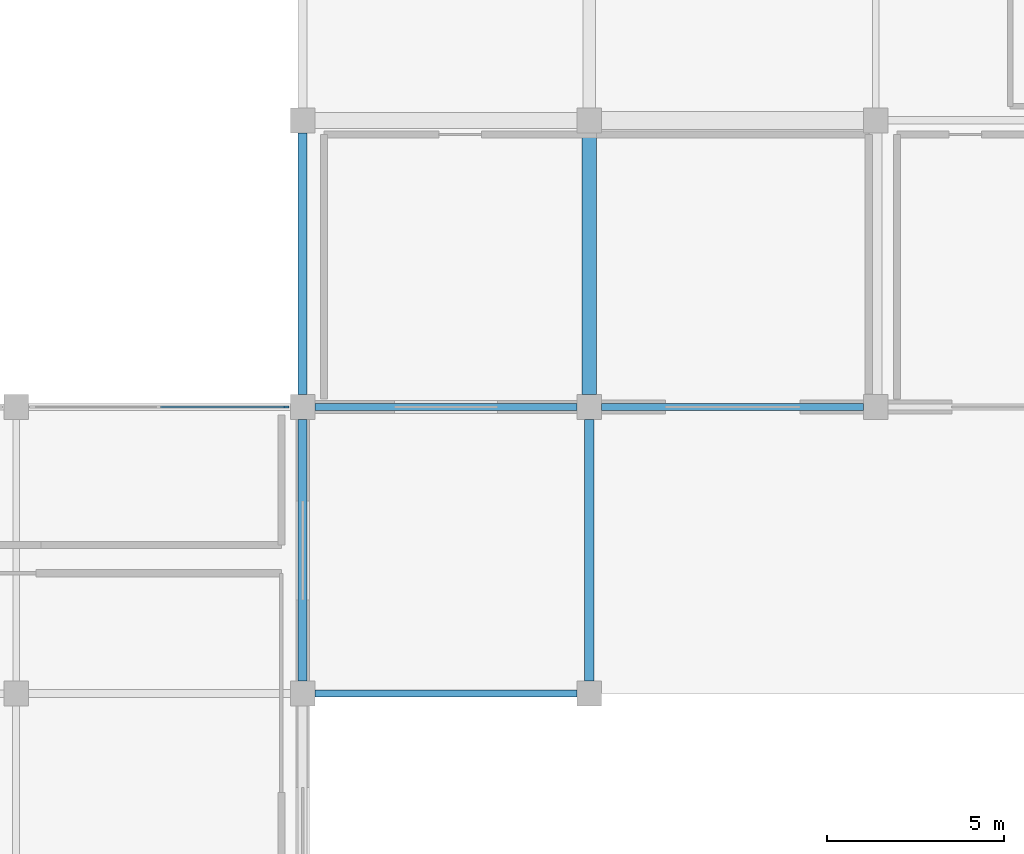
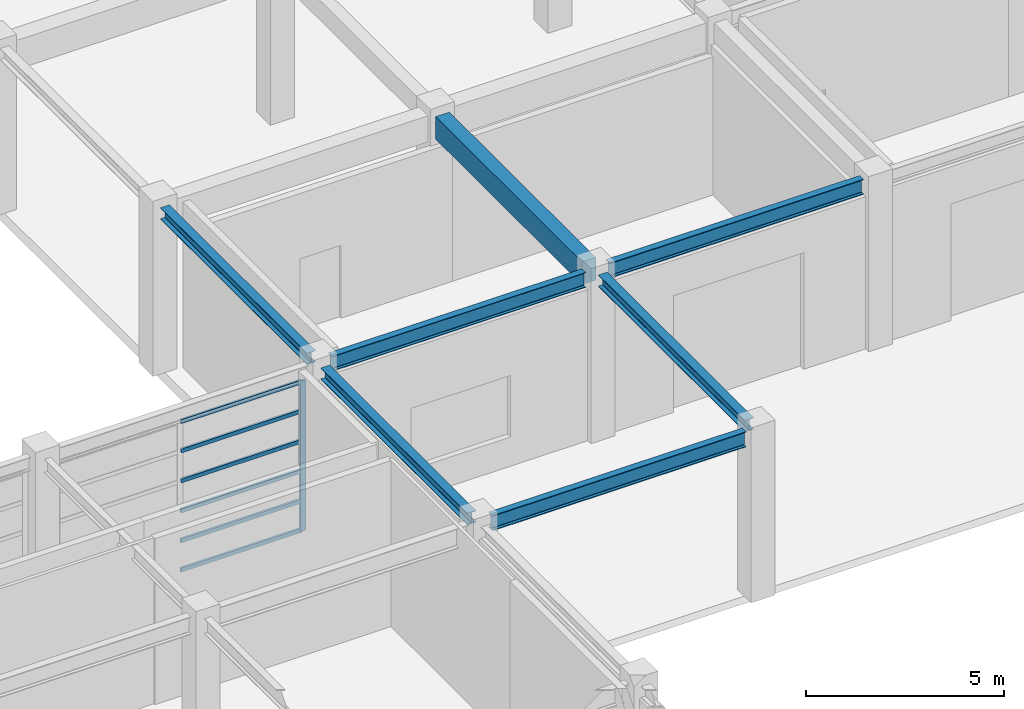
# One storey, part 13 of 52: 7 beams, 7 members, 1 element without a shape of its own.
"""IFC4 building model written with IfcOpenShell, lengths in metres."""

from ifc_helpers import new_model, si_unit, direction, frame, origin, origin_2d, place, context, subcontext, project, spatial, rectangle, i_section, extrude, material, material_profile, profile_set, type_object, element, aggregate, save


model = new_model("IFC4")

# Units and contexts
model_context = context("Model", 3, precision=1e-05, world=origin(), true_north=direction((0.0, 1.0)))
body_context = subcontext(model_context, "Body", "Model", "MODEL_VIEW")
ifc_project = project(units=[si_unit("LENGTHUNIT", "METRE"), si_unit("AREAUNIT", "SQUARE_METRE"), si_unit("VOLUMEUNIT", "CUBIC_METRE"), si_unit("PLANEANGLEUNIT", "RADIAN"), si_unit("MASSUNIT", "GRAM", prefix="KILO")], contexts=[model_context])

# Site, building, storey
site_placement = place(None, origin())
site = spatial("IfcSite", under=ifc_project, at=site_placement, CompositionType="ELEMENT")
building_placement = place(site_placement, origin())
building = spatial("IfcBuilding", under=site, at=building_placement, Name="Parian Resonance Hall", CompositionType="ELEMENT")
storey_placement = place(building_placement, origin())
storey = spatial("IfcBuildingStorey", under=building, at=storey_placement, Name="L00", CompositionType="ELEMENT", Elevation=0.0)

# Beams
ifc_material_1 = material(Name="Concrete C40/50", Category="concrete")
ifc_material_profile_1 = material_profile(ifc_material_1, rectangle(XDim=0.39990234375, YDim=0.699951171875, at=origin_2d()), Name="RC-BM-400x700")
ifc_profile_set_1 = profile_set([ifc_material_profile_1], Name="Concrete C40/50")
beam_type_1 = type_object("IfcBeamType", Name="BM-RC400x700", PredefinedType="BEAM", material=ifc_profile_set_1)
beam_1_placement = place(storey_placement, frame((121.5, 24.64990234375, 4.780029296875), z_axis=(0.0, 1.0, 0.0), x_axis=(-1.0, 0.0, 0.0)))
element("IfcBeam", 1, at=beam_1_placement, inside=storey, type_object=beam_type_1, Name="GY-L00-0465", PredefinedType="BEAM", context=body_context, shape_type="SweptSolid", body=[
    extrude(rectangle(XDim=0.39990234375, YDim=0.699951171875, at=origin_2d()), origin(), (0.0, 0.0, 1.0), 7.400146484375),
])
ifc_material_2 = material(Name="Steel S355", Category="steel")
ifc_material_profile_2 = material_profile(ifc_material_2, i_section(OverallWidth=0.2548828125, OverallDepth=0.35693359375, WebThickness=0.010498046875, FlangeThickness=0.018310546875, FilletRadius=0.01513671875, at=origin_2d()), Name="W360x101")
ifc_profile_set_2 = profile_set([ifc_material_profile_2], Name="Steel S355")
beam_type_2 = type_object("IfcBeamType", Name="BM-W360x101", PredefinedType="SPANDREL", material=ifc_profile_set_2)
beam_2_placement = place(storey_placement, frame((113.39990234375, 16.550048828125, 4.92138671875), z_axis=(0.0, 1.0, 0.0), x_axis=(-1.0, 0.0, 0.0)))
element("IfcBeam", 2, at=beam_2_placement, inside=storey, type_object=beam_type_2, Name="GY-L00-0455", PredefinedType="SPANDREL", context=body_context, shape_type="SweptSolid", body=[
    extrude(i_section(OverallWidth=0.2548828125, OverallDepth=0.35693359375, WebThickness=0.010498046875, FlangeThickness=0.018310546875, FilletRadius=0.01513671875, at=origin_2d()), origin(), (0.0, 0.0, 1.0), 7.39990234375),
])
beam_3_placement = place(storey_placement, frame((113.39990234375, 24.64990234375, 4.951416015625), z_axis=(0.0, 1.0, 0.0), x_axis=(-1.0, 0.0, 0.0)))
element("IfcBeam", 3, at=beam_3_placement, inside=storey, type_object=beam_type_2, Name="GY-L00-0456", PredefinedType="SPANDREL", context=body_context, shape_type="SweptSolid", body=[
    extrude(i_section(OverallWidth=0.2548828125, OverallDepth=0.35693359375, WebThickness=0.010498046875, FlangeThickness=0.018310546875, FilletRadius=0.01513671875, at=origin_2d()), origin(), (0.0, 0.0, 1.0), 7.400146484375),
])
beam_4_placement = place(storey_placement, frame((121.5, 16.550048828125, 4.951416015625), z_axis=(0.0, 1.0, 0.0), x_axis=(-1.0, 0.0, 0.0)))
element("IfcBeam", 4, at=beam_4_placement, inside=storey, type_object=beam_type_2, Name="GY-L00-0464", PredefinedType="SPANDREL", context=body_context, shape_type="SweptSolid", body=[
    extrude(i_section(OverallWidth=0.2548828125, OverallDepth=0.35693359375, WebThickness=0.010498046875, FlangeThickness=0.018310546875, FilletRadius=0.01513671875, at=origin_2d()), origin(), (0.0, 0.0, 1.0), 7.39990234375),
])
ifc_material_3 = material(Name="Steel S355", Category="steel")
ifc_material_profile_3 = material_profile(ifc_material_3, i_section(OverallWidth=0.194091796875, OverallDepth=0.468994140625, WebThickness=0.0126953125, FlangeThickness=0.0205078125, FilletRadius=0.01513671875, at=origin_2d()), Name="W460x106")
ifc_profile_set_3 = profile_set([ifc_material_profile_3], Name="Steel S355")
beam_type_3 = type_object("IfcBeamType", Name="BM-W460x106", PredefinedType="SPANDREL", material=ifc_profile_set_3)
for number, where, z_axis, x_axis, name in (
    (5, (113.75, 16.199951171875, 4.8955078125), (1.0, 0.0, 0.0), (0.0, 1.0, 0.0), "GX-L00-0344"),
    (6, (121.85009765625, 24.300048828125, 4.935546875), (1.0, 0.0, 0.0), (0.0, 1.0, 0.0), "GX-L00-0354"),
):
    element("IfcBeam", number, at=place(storey_placement, frame(where, z_axis=z_axis, x_axis=x_axis)), inside=storey, type_object=beam_type_3, Name=name, PredefinedType="SPANDREL", context=body_context, shape_type="SweptSolid", body=[
        extrude(i_section(OverallWidth=0.194091796875, OverallDepth=0.468994140625, WebThickness=0.0126953125, FlangeThickness=0.0205078125, FilletRadius=0.01513671875, at=origin_2d()), origin(), (0.0, 0.0, 1.0), 7.39990234375),
    ])
ifc_material_4 = material(Name="Steel S355", Category="steel")
ifc_material_profile_4 = material_profile(ifc_material_4, i_section(OverallWidth=0.19091796875, OverallDepth=0.4599609375, WebThickness=0.010009765625, FlangeThickness=0.01611328125, FilletRadius=0.01513671875, at=origin_2d()), Name="W460x82")
ifc_profile_set_4 = profile_set([ifc_material_profile_4], Name="Steel S355")
beam_type_4 = type_object("IfcBeamType", Name="BM-W460x82", PredefinedType="BEAM", material=ifc_profile_set_4)
beam_5_placement = place(storey_placement, frame((113.75, 24.300048828125, 4.89990234375), z_axis=(1.0, 0.0, 0.0), x_axis=(0.0, 1.0, 0.0)))
element("IfcBeam", 7, at=beam_5_placement, inside=storey, type_object=beam_type_4, Name="GX-L00-0345", PredefinedType="BEAM", context=body_context, shape_type="SweptSolid", body=[
    extrude(i_section(OverallWidth=0.19091796875, OverallDepth=0.4599609375, WebThickness=0.010009765625, FlangeThickness=0.01611328125, FilletRadius=0.01513671875, at=origin_2d()), origin(), (0.0, 0.0, 1.0), 7.39990234375),
])

# Curtain wall, members
ifc_material_5 = material(Name="Bronze-anodised aluminium frame", Category="aluminium")
curtain_wall_type = type_object("IfcCurtainWallType", Name="CW-SYS-03", PredefinedType="NOTDEFINED", material=ifc_material_5)
curtain_wall_placement = place(storey_placement, origin())
curtain_wall = element("IfcCurtainWall", 8, at=curtain_wall_placement, inside=storey, type_object=curtain_wall_type, Name="Curtain wall CW-L00-127", PredefinedType="NOTDEFINED")
ifc_material_6 = material(Name="Bronze-anodised aluminium frame", Category="aluminium")
ifc_material_profile_5 = material_profile(ifc_material_6, rectangle(XDim=0.06494140625, YDim=0.159912109375, at=origin_2d()), Name="CWM-65x160")
ifc_profile_set_5 = profile_set([ifc_material_profile_5], Name="Bronze-anodised aluminium frame")
member_type_1 = type_object("IfcMemberType", Name="CWM-65x160", PredefinedType="MULLION", material=ifc_profile_set_5)
member_1_placement = place(storey_placement, frame((112.9375, 24.300048828125, -0.008056640625), z_axis=(0.0, 0.0, 1.0), x_axis=(0.0, 1.0, 0.0)))
member_1 = element("IfcMember", 9, at=member_1_placement, type_object=member_type_1, Name="CW-03 mullion 3", PredefinedType="MULLION", context=body_context, shape_type="SweptSolid", body=[
    extrude(rectangle(XDim=0.06494140625, YDim=0.159912109375, at=origin_2d()), origin(), (0.0, 0.0, 1.0), 4.64306640625),
])
ifc_material_7 = material(Name="Bronze-anodised aluminium frame", Category="aluminium")
ifc_material_profile_6 = material_profile(ifc_material_7, rectangle(XDim=0.06494140625, YDim=0.1201171875, at=origin_2d()), Name="CWT-65x120")
ifc_profile_set_6 = profile_set([ifc_material_profile_6], Name="Bronze-anodised aluminium frame")
member_type_2 = type_object("IfcMemberType", Name="CWT-65x120", PredefinedType="USERDEFINED", material=ifc_profile_set_6)
member_2_placement = place(storey_placement, frame((109.382568359375, 24.300048828125, 0.0244140625), z_axis=(1.0, 0.0, 0.0), x_axis=(0.0, 1.0, 0.0)))
member_2 = element("IfcMember", 10, at=member_2_placement, type_object=member_type_2, Name="CW-03 transom 2.1", ObjectType="TRANSOM", PredefinedType="USERDEFINED", context=body_context, shape_type="SweptSolid", body=[
    extrude(rectangle(XDim=0.06494140625, YDim=0.1201171875, at=origin_2d()), origin(), (0.0, 0.0, 1.0), 3.5224609375),
])
member_3_placement = place(storey_placement, frame((109.382568359375, 24.300048828125, 0.925048828125), z_axis=(1.0, 0.0, 0.0), x_axis=(0.0, 1.0, 0.0)))
member_3 = element("IfcMember", 11, at=member_3_placement, type_object=member_type_2, Name="CW-03 transom 2.2", ObjectType="TRANSOM", PredefinedType="USERDEFINED", context=body_context, shape_type="SweptSolid", body=[
    extrude(rectangle(XDim=0.06494140625, YDim=0.1201171875, at=origin_2d()), origin(), (0.0, 0.0, 1.0), 3.5224609375),
])
member_4_placement = place(storey_placement, frame((109.382568359375, 24.300048828125, 1.85009765625), z_axis=(1.0, 0.0, 0.0), x_axis=(0.0, 1.0, 0.0)))
member_4 = element("IfcMember", 12, at=member_4_placement, type_object=member_type_2, Name="CW-03 transom 2.3", ObjectType="TRANSOM", PredefinedType="USERDEFINED", context=body_context, shape_type="SweptSolid", body=[
    extrude(rectangle(XDim=0.06494140625, YDim=0.1201171875, at=origin_2d()), origin(), (0.0, 0.0, 1.0), 3.5224609375),
])
member_5_placement = place(storey_placement, frame((109.382568359375, 24.300048828125, 2.77490234375), z_axis=(1.0, 0.0, 0.0), x_axis=(0.0, 1.0, 0.0)))
member_5 = element("IfcMember", 13, at=member_5_placement, type_object=member_type_2, Name="CW-03 transom 2.4", ObjectType="TRANSOM", PredefinedType="USERDEFINED", context=body_context, shape_type="SweptSolid", body=[
    extrude(rectangle(XDim=0.06494140625, YDim=0.1201171875, at=origin_2d()), origin(), (0.0, 0.0, 1.0), 3.5224609375),
])
member_6_placement = place(storey_placement, frame((109.382568359375, 24.300048828125, 3.699951171875), z_axis=(1.0, 0.0, 0.0), x_axis=(0.0, 1.0, 0.0)))
member_6 = element("IfcMember", 14, at=member_6_placement, type_object=member_type_2, Name="CW-03 transom 2.5", ObjectType="TRANSOM", PredefinedType="USERDEFINED", context=body_context, shape_type="SweptSolid", body=[
    extrude(rectangle(XDim=0.06494140625, YDim=0.1201171875, at=origin_2d()), origin(), (0.0, 0.0, 1.0), 3.5224609375),
])
member_7_placement = place(storey_placement, frame((109.382568359375, 24.300048828125, 4.6025390625), z_axis=(1.0, 0.0, 0.0), x_axis=(0.0, 1.0, 0.0)))
member_7 = element("IfcMember", 15, at=member_7_placement, type_object=member_type_2, Name="CW-03 transom 2.6", ObjectType="TRANSOM", PredefinedType="USERDEFINED", context=body_context, shape_type="SweptSolid", body=[
    extrude(rectangle(XDim=0.06494140625, YDim=0.1201171875, at=origin_2d()), origin(), (0.0, 0.0, 1.0), 3.5224609375),
])
aggregate(curtain_wall, [member_1, member_2, member_3, member_4, member_5, member_6, member_7])

save(model, "model.ifc")
